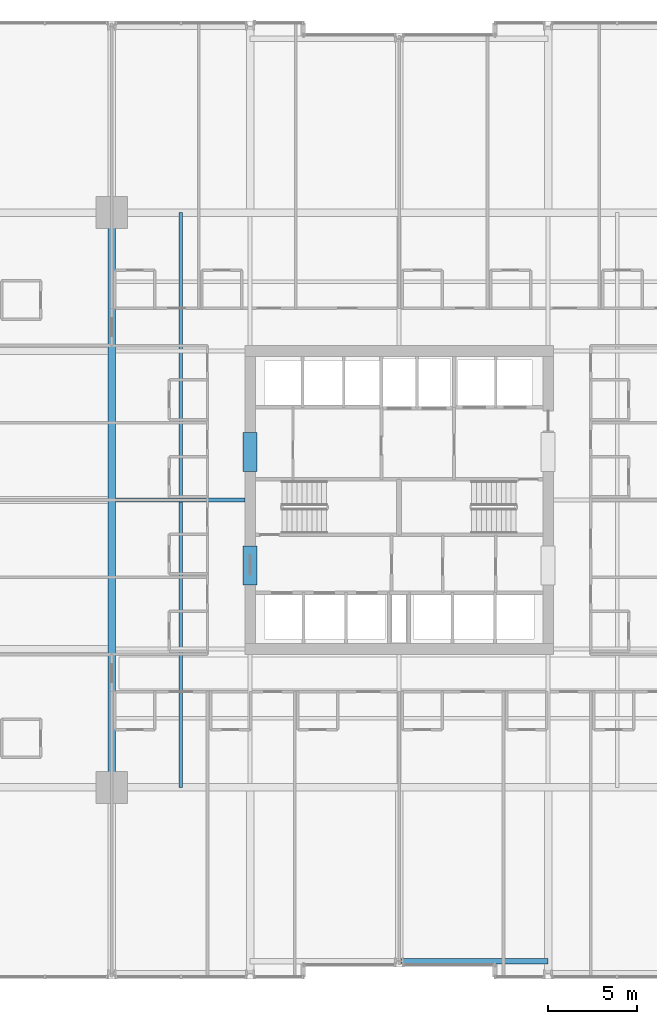
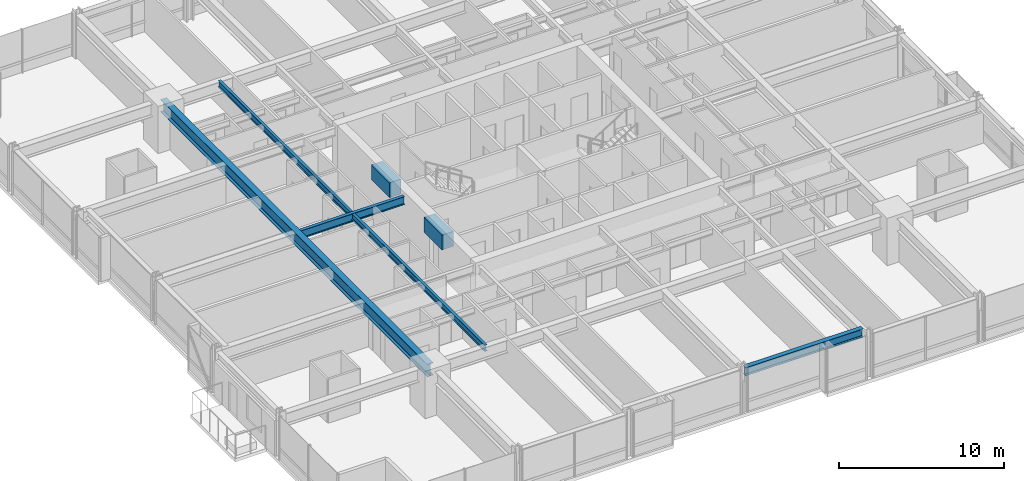
# One storey, part 10 of 39: 6 beams.
"""IFC4 building model written with IfcOpenShell, lengths in metres."""

from ifc_helpers import new_model, si_unit, direction, frame, origin, origin_2d, place, context, subcontext, project, spatial, rectangle, i_section, extrude, material, material_profile, profile_set, type_object, element, save


model = new_model("IFC4")

# Units and contexts
model_context = context("Model", 3, precision=1e-05, world=origin(), true_north=direction((0.0, 1.0)))
body_context = subcontext(model_context, "Body", "Model", "MODEL_VIEW")
ifc_project = project(units=[si_unit("LENGTHUNIT", "METRE"), si_unit("AREAUNIT", "SQUARE_METRE"), si_unit("VOLUMEUNIT", "CUBIC_METRE"), si_unit("PLANEANGLEUNIT", "RADIAN"), si_unit("MASSUNIT", "GRAM", prefix="KILO")], contexts=[model_context])

# Site, building, storey
site_placement = place(None, origin())
site = spatial("IfcSite", under=ifc_project, at=site_placement, CompositionType="ELEMENT")
building_placement = place(site_placement, origin())
building = spatial("IfcBuilding", under=site, at=building_placement, Name="Drelvath Grand Hotel", CompositionType="ELEMENT")
storey_placement = place(building_placement, frame((0.0, 0.0, 40.199951171875)))
storey = spatial("IfcBuildingStorey", under=building, at=storey_placement, Name="L08", CompositionType="ELEMENT", Elevation=40.199951171875)

# Beams
ifc_material_1 = material(Name="Steel ASTM A992 Gr 50", Category="steel")
ifc_material_profile_1 = material_profile(ifc_material_1, i_section(OverallWidth=0.19140625, OverallDepth=0.4599609375, WebThickness=0.010009765625, FlangeThickness=0.01611328125, FilletRadius=0.01611328125, at=origin_2d()), Name="W18X55")
ifc_profile_set_1 = profile_set([ifc_material_profile_1], Name="Steel ASTM A992 Gr 50")
beam_type_1 = type_object("IfcBeamType", Name="Composite Floor Joist W18X55", PredefinedType="JOIST", material=ifc_profile_set_1)
beam_1_placement = place(storey_placement, frame((-12.300048828125, 10.800048828125, 3.010009765625), z_axis=(0.0, 1.0, 0.0), x_axis=(-1.0, 0.0, 0.0)))
element("IfcBeam", 1, at=beam_1_placement, inside=storey, type_object=beam_type_1, Name="L08 Wing Floor Joist J3", PredefinedType="JOIST", context=body_context, shape_type="SweptSolid", body=[
    extrude(i_section(OverallWidth=0.19140625, OverallDepth=0.4599609375, WebThickness=0.010009765625, FlangeThickness=0.01611328125, FilletRadius=0.01611328125, at=origin_2d()), origin(), (0.0, 0.0, 1.0), 32.39990234375),
])
ifc_material_2 = material(Name="Concrete f'c 70 MPa", Category="concrete")
ifc_material_profile_2 = material_profile(ifc_material_2, rectangle(XDim=0.800048828125, YDim=1.10009765625, at=origin_2d()), Name="CB800X1100")
ifc_profile_set_2 = profile_set([ifc_material_profile_2], Name="Concrete f'c 70 MPa")
beam_type_2 = type_object("IfcBeamType", Name="Core Coupling Lintel CB800X1100", PredefinedType="LINTEL", material=ifc_profile_set_2)
for number, where, z_axis, x_axis, name in (
    (2, (-8.39990234375, 22.199951171875, 2.68994140625), (0.0, 1.0, 0.0), (-1.0, 0.0, 0.0), "L08 Core Coupling Lintel WS"),
    (3, (-8.39990234375, 28.60009765625, 2.68994140625), (0.0, 1.0, 0.0), (-1.0, 0.0, 0.0), "L08 Core Coupling Lintel WN"),
):
    element("IfcBeam", number, at=place(storey_placement, frame(where, z_axis=z_axis, x_axis=x_axis)), inside=storey, type_object=beam_type_2, Name=name, PredefinedType="LINTEL", context=body_context, shape_type="SweptSolid", body=[
        extrude(rectangle(XDim=0.800048828125, YDim=1.10009765625, at=origin_2d()), origin(), (0.0, 0.0, 1.0), 2.199951171875),
    ])
ifc_material_profile_3 = material_profile(ifc_material_1, i_section(OverallWidth=0.323974609375, OverallDepth=0.611083984375, WebThickness=0.0126953125, FlangeThickness=0.01904296875, FilletRadius=0.02197265625, at=origin_2d()), Name="W24X104")
ifc_profile_set_3 = profile_set([ifc_material_profile_3], Name="Steel ASTM A992 Gr 50")
beam_type_3 = type_object("IfcBeamType", Name="Perimeter Spandrel Beam W24X104", PredefinedType="SPANDREL", material=ifc_profile_set_3)
beam_2_placement = place(storey_placement, frame((0.139892578125, 1.0, 2.9345703125), z_axis=(1.0, 0.0, 0.0), x_axis=(0.0, 1.0, 0.0)))
element("IfcBeam", 4, at=beam_2_placement, inside=storey, type_object=beam_type_3, Name="L08 Spandrel South Mid E", PredefinedType="SPANDREL", context=body_context, shape_type="SweptSolid", body=[
    extrude(i_section(OverallWidth=0.323974609375, OverallDepth=0.611083984375, WebThickness=0.0126953125, FlangeThickness=0.01904296875, FilletRadius=0.02197265625, at=origin_2d()), origin(), (0.0, 0.0, 1.0), 8.260009765625),
])
ifc_material_profile_4 = material_profile(ifc_material_1, i_section(OverallWidth=0.228271484375, OverallDepth=0.607666015625, WebThickness=0.01123046875, FlangeThickness=0.017333984375, FilletRadius=0.02001953125, at=origin_2d()), Name="W24X76")
ifc_profile_set_4 = profile_set([ifc_material_profile_4], Name="Steel ASTM A992 Gr 50")
beam_type_4 = type_object("IfcBeamType", Name="Primary Floor Girder W24X76", PredefinedType="BEAM", material=ifc_profile_set_4)
beam_3_placement = place(storey_placement, frame((-15.99072265625, 27.0, 2.936279296875), z_axis=(1.0, 0.0, 0.0), x_axis=(0.0, 1.0, 0.0)))
element("IfcBeam", 5, at=beam_3_placement, inside=storey, type_object=beam_type_4, Name="L08 West Core Tie E", PredefinedType="BEAM", context=body_context, shape_type="SweptSolid", body=[
    extrude(i_section(OverallWidth=0.228271484375, OverallDepth=0.607666015625, WebThickness=0.01123046875, FlangeThickness=0.017333984375, FilletRadius=0.02001953125, at=origin_2d()), origin(), (0.0, 0.0, 1.0), 7.290771484375),
])
ifc_material_profile_5 = material_profile(ifc_material_1, i_section(OverallWidth=0.418212890625, OverallDepth=0.926513671875, WebThickness=0.019287109375, FlangeThickness=0.031982421875, FilletRadius=0.028076171875, at=origin_2d()), Name="W36X231")
ifc_profile_set_5 = profile_set([ifc_material_profile_5], Name="Steel ASTM A992 Gr 50")
beam_type_5 = type_object("IfcBeamType", Name="Primary Floor Girder W36X231", PredefinedType="BEAM", material=ifc_profile_set_5)
beam_4_placement = place(storey_placement, frame((-16.199951171875, 10.800048828125, 2.77685546875), z_axis=(0.0, 1.0, 0.0), x_axis=(-1.0, 0.0, 0.0)))
element("IfcBeam", 6, at=beam_4_placement, inside=storey, type_object=beam_type_5, Name="L08 Mega Ring Girder West", PredefinedType="BEAM", context=body_context, shape_type="SweptSolid", body=[
    extrude(i_section(OverallWidth=0.418212890625, OverallDepth=0.926513671875, WebThickness=0.019287109375, FlangeThickness=0.031982421875, FilletRadius=0.028076171875, at=origin_2d()), origin(), (0.0, 0.0, 1.0), 32.39990234375),
])

save(model, "model.ifc")
